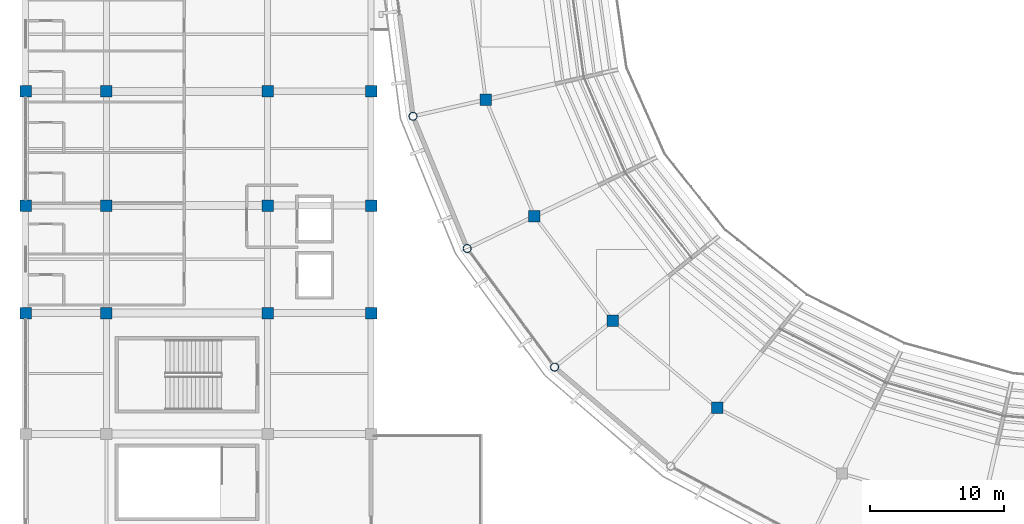
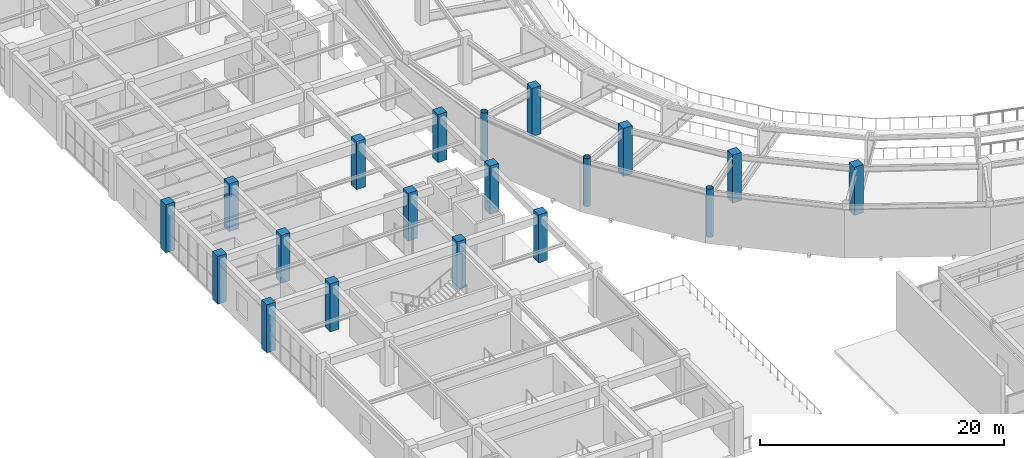
# One storey, part 3 of 122: 19 columns.
"""IFC4 building model written with IfcOpenShell, lengths in metres."""

import ifcopenshell
import ifcopenshell.guid

model = None  # the IFC model being written
_history = None  # IfcOwnerHistory: only IFC2X3 demands one
_inside = {}  # id of a spatial element -> (the spatial element, [elements in it])
_under = {}  # id of a project, library or spatial element -> (it, [spatial elements below it])
_declared = {}  # id of a project -> (the project, [libraries it declares])
_typed = {}  # id of a type object -> (the type object, [elements of that type])
_made_of = {}  # id of a material, layer set ... -> (it, [elements and type objects made of it])


def new_model(schema):
    """Start an empty IFC model of exactly this schema.

    Asked for "IFC4X3", IfcOpenShell would pick the latest addendum, in which some entities
    have other attributes; the version numbers below select the first issue.
    IFC2X3 requires an IfcOwnerHistory on every rooted entity: one is made here for all.
    """
    global model, _history
    if schema == "IFC4X3":
        model = ifcopenshell.file(schema_version=(4, 3, 0, 0))
    else:
        model = ifcopenshell.file(schema=schema)
    _inside.clear()
    _under.clear()
    _declared.clear()
    _typed.clear()
    _made_of.clear()
    _history = None
    if model.schema == "IFC2X3":
        org = make("IfcOrganization", Name="unknown")
        user = make(
            "IfcPersonAndOrganization",
            ThePerson=make("IfcPerson", FamilyName="unknown"),
            TheOrganization=org,
        )
        app = make(
            "IfcApplication",
            ApplicationDeveloper=org,
            Version="unknown",
            ApplicationFullName="unknown",
            ApplicationIdentifier="unknown",
        )
        _history = make(
            "IfcOwnerHistory",
            OwningUser=user,
            OwningApplication=app,
            ChangeAction="ADDED",
            CreationDate=0,
        )
    return model


def make(cls, **values):
    """One entity of the class cls with the attributes given. An attribute that is None is left unset."""
    return model.create_entity(
        cls, **{name: value for name, value in values.items() if value is not None}
    )


def rooted(cls, **values):
    """An entity with a GlobalId (a new one), such as an element, a storey or a relation."""
    return make(cls, GlobalId=ifcopenshell.guid.new(), OwnerHistory=_history, **values)


def si_unit(unit_type, name, prefix=None):
    """IfcSIUnit, for example si_unit("LENGTHUNIT", "METRE", prefix="MILLI")."""
    return make("IfcSIUnit", UnitType=unit_type, Prefix=prefix, Name=name)


def assignment(units):
    """IfcUnitAssignment: the units of a project."""
    return None if units is None else make("IfcUnitAssignment", Units=units)


def point(xyz):
    """IfcCartesianPoint."""
    return None if xyz is None else make("IfcCartesianPoint", Coordinates=xyz)


def direction(xyz):
    """IfcDirection."""
    return None if xyz is None else make("IfcDirection", DirectionRatios=xyz)


def frame(location, z_axis=None, x_axis=None):
    """IfcAxis2Placement3D, a coordinate frame: its origin and axes. An axis left out is left unset."""
    return make(
        "IfcAxis2Placement3D",
        Location=point(location),
        Axis=direction(z_axis),
        RefDirection=direction(x_axis),
    )


def frame_2d(location, x_axis=None):
    """IfcAxis2Placement2D, a coordinate frame in the plane: its origin and x axis."""
    return make(
        "IfcAxis2Placement2D", Location=point(location), RefDirection=direction(x_axis)
    )


def origin():
    """The frame at (0, 0, 0) with its axes left unset."""
    return frame((0.0, 0.0, 0.0))


def origin_2d():
    """The frame at (0, 0) in the plane with its x axis left unset."""
    return frame_2d((0.0, 0.0))


def place(relative_to, where):
    """IfcLocalPlacement: puts the frame where relative to a parent placement (None: the world)."""
    return make(
        "IfcLocalPlacement", PlacementRelTo=relative_to, RelativePlacement=where
    )


def context(
    kind, dimensions, precision=None, world=None, true_north=None, identifier=None
):
    """IfcGeometricRepresentationContext, for example the 3D "Model" context."""
    return make(
        "IfcGeometricRepresentationContext",
        ContextIdentifier=identifier,
        ContextType=kind,
        CoordinateSpaceDimension=dimensions,
        Precision=precision,
        WorldCoordinateSystem=world,
        TrueNorth=true_north,
    )


def subcontext(parent, identifier, kind, view, scale=None):
    """IfcGeometricRepresentationSubContext, for example "Body" below "Model"."""
    return make(
        "IfcGeometricRepresentationSubContext",
        ContextIdentifier=identifier,
        ContextType=kind,
        ParentContext=parent,
        TargetScale=scale,
        TargetView=view,
    )


def project(units=None, contexts=None):
    """IfcProject with its units and contexts."""
    return rooted(
        "IfcProject",
        Name="project",
        RepresentationContexts=contexts,
        UnitsInContext=assignment(units),
    )


def spatial(cls, under=None, at=None, **own):
    """A site, building, storey or space (cls), placed at a placement, below another one or the project."""
    s = rooted(cls, ObjectPlacement=at, **own)
    if under is not None:
        _under.setdefault(under.id(), (under, []))[1].append(s)
    return s


def profile(cls, at=None, kind="AREA", **sizes):
    """A parametric profile (cls). Its sizes go by their IFC names, for example OverallWidth=200.0."""
    return make(cls, ProfileType=kind, Position=at, **sizes)


def rectangle(**sizes):
    """IfcRectangleProfileDef."""
    return profile("IfcRectangleProfileDef", **sizes)


def hollow_circle(**sizes):
    """IfcCircleHollowProfileDef."""
    return profile("IfcCircleHollowProfileDef", **sizes)


def extrude(swept, where, along, depth):
    """IfcExtrudedAreaSolid: the profile swept, set in the frame where, extruded along a direction by depth."""
    return make(
        "IfcExtrudedAreaSolid",
        SweptArea=swept,
        Position=where,
        ExtrudedDirection=direction(along),
        Depth=depth,
    )


def shape(context_of_items, identifier, shape_type, items):
    """IfcShapeRepresentation: the items that make up one representation, for example the "Body"."""
    return make(
        "IfcShapeRepresentation",
        ContextOfItems=context_of_items,
        RepresentationIdentifier=identifier,
        RepresentationType=shape_type,
        Items=items,
    )


def material(Name=None, Category=None):
    """IfcMaterial."""
    return make("IfcMaterial", Name=Name, Category=Category)


def material_profile(
    of_material, cross_section, Name=None, Category=None, Priority=None
):
    """IfcMaterialProfile: a cross section and its material."""
    return make(
        "IfcMaterialProfile",
        Name=Name,
        Material=of_material,
        Profile=cross_section,
        Priority=Priority,
        Category=Category,
    )


def profile_set(profiles, Name=None, composite=None):
    """IfcMaterialProfileSet."""
    return make(
        "IfcMaterialProfileSet",
        Name=Name,
        MaterialProfiles=profiles,
        CompositeProfile=composite,
    )


def made_of(thing, what):
    """Note that an element or type object is made of a material, layer set ...; save() writes the relation."""
    if what is not None:
        _made_of.setdefault(what.id(), (what, []))[1].append(thing)
    return thing


def type_object(cls, material=None, **own):
    """A type object (cls), such as IfcWallType, which elements share."""
    return made_of(rooted(cls, **own), material)


def element(
    cls,
    number,
    at=None,
    inside=None,
    cuts=None,
    type_object=None,
    material=None,
    context=None,
    identifier="Body",
    shape_type=None,
    held_by="IfcProductDefinitionShape",
    body=None,
    shapes=None,
    **own,
):
    """One element of the class cls, such as IfcWall. Its Tag is "e" and its number.

    at: its placement. inside: the storey or other place that contains it. cuts: it is an
    opening in that element (IfcRelVoidsElement). A single representation is given by context,
    identifier, shape_type and body (its items); several are given by shapes. held_by: the class
    of the entity that holds the representations. save() writes the other relations.
    """
    e = rooted(cls, Tag="e%d" % number, ObjectPlacement=at, **own)
    if body is not None:
        shapes = [shape(context, identifier, shape_type, body)]
    if shapes is not None:
        e.Representation = make(held_by, Representations=shapes)
    if inside is not None:
        _inside.setdefault(inside.id(), (inside, []))[1].append(e)
    if cuts is not None:
        rooted(
            "IfcRelVoidsElement", RelatingBuildingElement=cuts, RelatedOpeningElement=e
        )
    if type_object is not None:
        _typed.setdefault(type_object.id(), (type_object, []))[1].append(e)
    return made_of(e, material)


def aggregate(whole, parts):
    """IfcRelAggregates: a whole, such as a stair, and the parts it consists of."""
    return rooted("IfcRelAggregates", RelatingObject=whole, RelatedObjects=parts)


def save(model, path):
    """Write the relations noted so far, then the file.

    IfcRelAggregates (storeys below a building ...), IfcRelContainedInSpatialStructure (elements
    in a storey), IfcRelDefinesByType, IfcRelAssociatesMaterial and IfcRelDeclares: one each for
    every whole, place, type object, material and project.
    """
    for whole, parts in _under.values():
        aggregate(whole, parts)
    for where, things in _inside.values():
        rooted(
            "IfcRelContainedInSpatialStructure",
            RelatedElements=things,
            RelatingStructure=where,
        )
    for kind, things in _typed.values():
        rooted("IfcRelDefinesByType", RelatedObjects=things, RelatingType=kind)
    for what, things in _made_of.values():
        rooted("IfcRelAssociatesMaterial", RelatedObjects=things, RelatingMaterial=what)
    for by, libraries in _declared.values():
        rooted("IfcRelDeclares", RelatingContext=by, RelatedDefinitions=libraries)
    model.write(path)


model = new_model("IFC4")

# Units and contexts
model_context = context("Model", 3, precision=1e-05, world=origin(), true_north=direction((0.0, 1.0)))
body_context = subcontext(model_context, "Body", "Model", "MODEL_VIEW")
ifc_project = project(units=[si_unit("LENGTHUNIT", "METRE"), si_unit("AREAUNIT", "SQUARE_METRE"), si_unit("VOLUMEUNIT", "CUBIC_METRE"), si_unit("PLANEANGLEUNIT", "RADIAN"), si_unit("MASSUNIT", "GRAM", prefix="KILO")], contexts=[model_context])

# Site, building, storey
site_placement = place(None, origin())
site = spatial("IfcSite", under=ifc_project, at=site_placement, CompositionType="ELEMENT")
building_placement = place(site_placement, origin())
building = spatial("IfcBuilding", under=site, at=building_placement, Name="Cuetzalor Civic Arena", CompositionType="ELEMENT")
storey_placement = place(building_placement, frame((0.0, 0.0, 16.199951171875)))
storey = spatial("IfcBuildingStorey", under=building, at=storey_placement, Name="L03", CompositionType="ELEMENT", Elevation=16.199951171875)

# Columns
ifc_material_1 = material(Name="Concrete C40/50", Category="concrete")
ifc_material_profile_1 = material_profile(ifc_material_1, rectangle(XDim=0.85009765625, YDim=0.85009765625, at=origin_2d()), Name="RC 850x850")
ifc_profile_set_1 = profile_set([ifc_material_profile_1], Name="Concrete C40/50")
column_type_1 = type_object("IfcColumnType", Name="ConcreteColumn_850", PredefinedType="COLUMN", material=ifc_profile_set_1)
for number, where, z_axis, x_axis, name in (
    (1, (-47.771484375, -9.123291015625, 0.0), (0.0, 0.0, 1.0), (1.0, 0.0, 0.0), "Column V1-REC-16 L03"),
    (2, (-44.1474609375, -17.789306640625, 0.0), (0.0, 0.0, 1.0), (1.0, 0.0, 0.0), "Column V1-REC-17 L03"),
    (3, (-38.309814453125, -25.56298828125, 0.0), (0.0, 0.0, 1.0), (1.0, 0.0, 0.0), "Column V1-REC-18 L03"),
    (4, (-30.551025390625, -32.05517578125, 0.0), (0.0, 0.0, 1.0), (1.0, 0.0, 0.0), "Column V1-REC-19 L03"),
    (5, (-82.0, -25.0, 0.0), (0.0, 0.0, 1.0), (1.0, 0.0, 0.0), "Column V4W-C-01-04 L03"),
    (6, (-82.0, -17.0, 0.0), (0.0, 0.0, 1.0), (1.0, 0.0, 0.0), "Column V4W-C-01-05 L03"),
    (7, (-82.0, -8.5, 0.0), (0.0, 0.0, 1.0), (1.0, 0.0, 0.0), "Column V4W-C-01-06 L03"),
    (8, (-76.0, -25.0, 0.0), (0.0, 0.0, 1.0), (1.0, 0.0, 0.0), "Column V4W-C-02-04 L03"),
    (9, (-76.0, -17.0, 0.0), (0.0, 0.0, 1.0), (1.0, 0.0, 0.0), "Column V4W-C-02-05 L03"),
    (10, (-76.0, -8.5, 0.0), (0.0, 0.0, 1.0), (1.0, 0.0, 0.0), "Column V4W-C-02-06 L03"),
    (11, (-64.0, -25.0, 0.0), (0.0, 0.0, 1.0), (1.0, 0.0, 0.0), "Column V4W-C-03-04 L03"),
    (12, (-64.0, -17.0, 0.0), (0.0, 0.0, 1.0), (1.0, 0.0, 0.0), "Column V4W-C-03-05 L03"),
    (13, (-64.0, -8.5, 0.0), (0.0, 0.0, 1.0), (1.0, 0.0, 0.0), "Column V4W-C-03-06 L03"),
    (14, (-56.300048828125, -25.0, 0.0), (0.0, 0.0, 1.0), (1.0, 0.0, 0.0), "Column V4W-C-04-04 L03"),
    (15, (-56.300048828125, -17.0, 0.0), (0.0, 0.0, 1.0), (1.0, 0.0, 0.0), "Column V4W-C-04-05 L03"),
    (16, (-56.300048828125, -8.5, 0.0), (0.0, 0.0, 1.0), (1.0, 0.0, 0.0), "Column V4W-C-04-06 L03"),
):
    element("IfcColumn", number, at=place(storey_placement, frame(where, z_axis=z_axis, x_axis=x_axis)), inside=storey, type_object=column_type_1, Name=name, PredefinedType="COLUMN", context=body_context, shape_type="SweptSolid", body=[
        extrude(rectangle(XDim=0.85009765625, YDim=0.85009765625, at=origin_2d()), origin(), (0.0, 0.0, 1.0), 4.800048828125),
    ])
ifc_material_2 = material(Name="Steel S355", Category="steel")
ifc_material_profile_2 = material_profile(ifc_material_2, hollow_circle(Radius=0.304931640625, WallThickness=0.02490234375, at=origin_2d()), Name="CHS 610x25")
ifc_profile_set_2 = profile_set([ifc_material_profile_2], Name="Steel S355")
column_type_2 = type_object("IfcColumnType", Name="SteelDomePylon_CHS610", PredefinedType="COLUMN", material=ifc_profile_set_2)
for number, where, z_axis, x_axis, name in (
    (17, (-53.182373046875, -10.3583984375, 0.0), (0.0, 0.0, 1.0), (1.0, 0.0, 0.0), "Column V1-PYL-16 L03"),
    (18, (-49.14794921875, -20.197265625, 0.0), (0.0, 0.0, 1.0), (1.0, 0.0, 0.0), "Column V1-PYL-17 L03"),
    (19, (-42.64892578125, -29.0234375, 0.0), (0.0, 0.0, 1.0), (1.0, 0.0, 0.0), "Column V1-PYL-18 L03"),
):
    element("IfcColumn", number, at=place(storey_placement, frame(where, z_axis=z_axis, x_axis=x_axis)), inside=storey, type_object=column_type_2, Name=name, PredefinedType="COLUMN", context=body_context, shape_type="SweptSolid", body=[
        extrude(hollow_circle(Radius=0.304931640625, WallThickness=0.02490234375, at=origin_2d()), origin(), (0.0, 0.0, 1.0), 4.800048828125),
    ])

save(model, "model.ifc")
